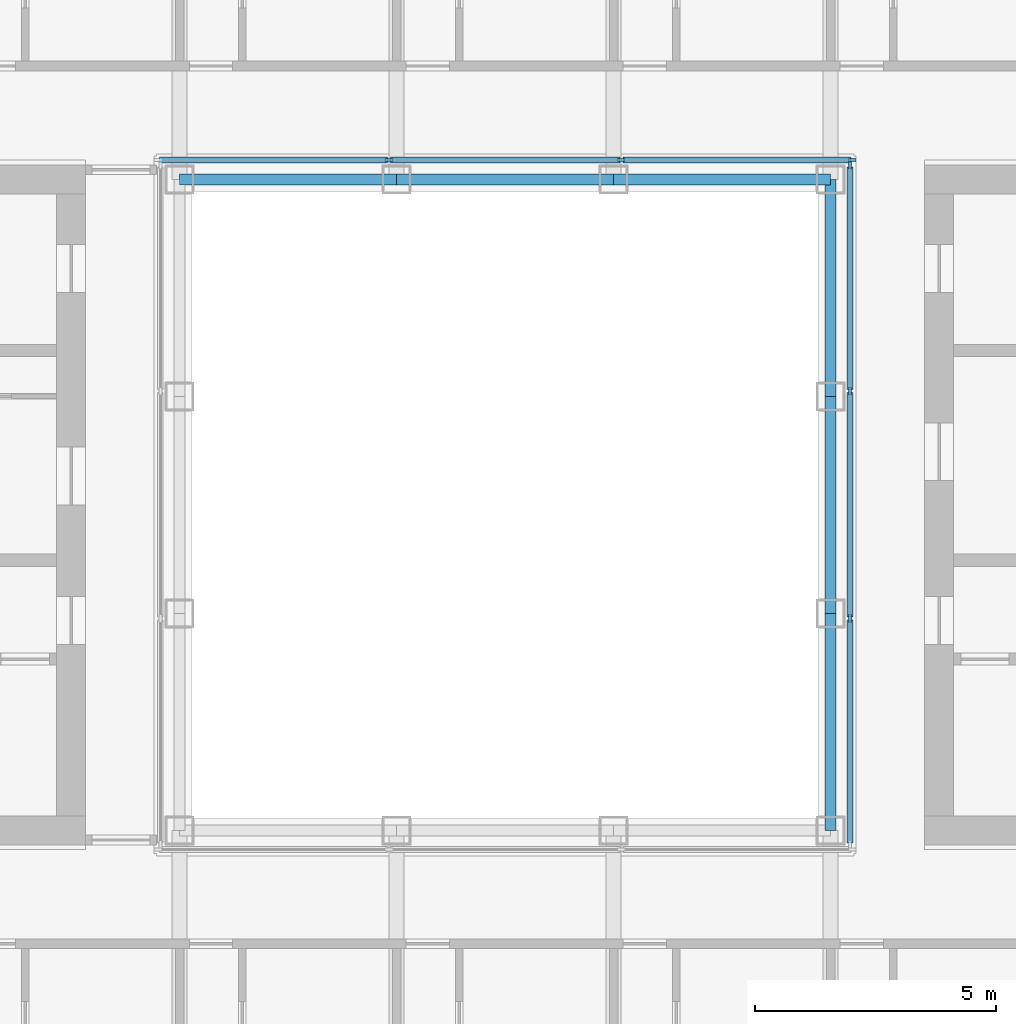
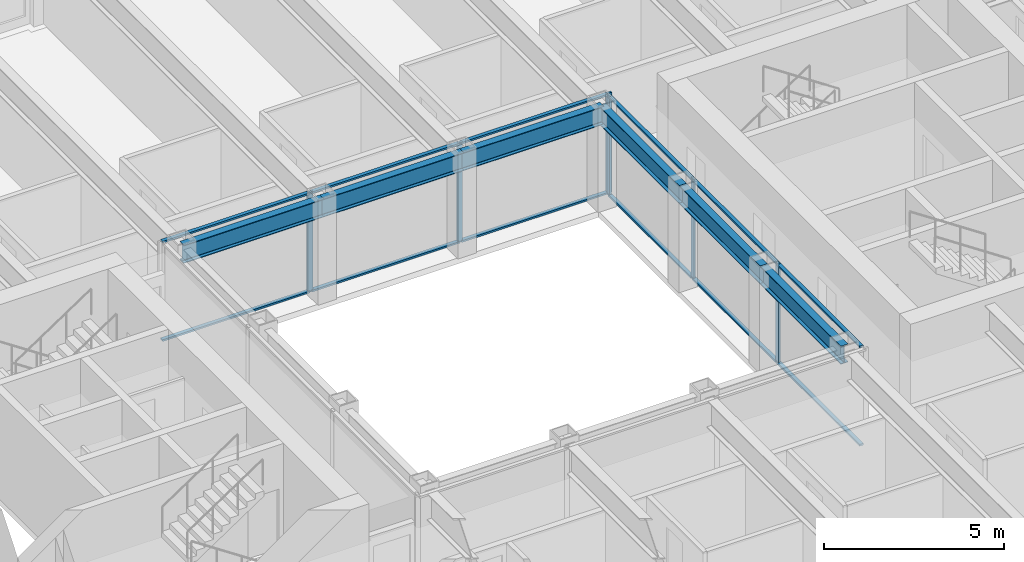
# One storey, part 5 of 18: 18 members, 6 beams, 2 elements without a shape of their own.
"""IFC4 building model written with IfcOpenShell, lengths in metres."""

from ifc_helpers import new_model, si_unit, direction, frame, origin, origin_2d, place, context, subcontext, project, spatial, rectangle, i_section, extrude, material, material_profile, profile_set, type_object, element, aggregate, save


model = new_model("IFC4")

# Units and contexts
model_context = context("Model", 3, precision=1e-05, world=origin(), true_north=direction((0.0, 1.0)))
body_context = subcontext(model_context, "Body", "Model", "MODEL_VIEW")
ifc_project = project(units=[si_unit("LENGTHUNIT", "METRE"), si_unit("AREAUNIT", "SQUARE_METRE"), si_unit("VOLUMEUNIT", "CUBIC_METRE"), si_unit("PLANEANGLEUNIT", "RADIAN"), si_unit("MASSUNIT", "GRAM", prefix="KILO")], contexts=[model_context])

# Site, building, storey
site_placement = place(None, origin())
site = spatial("IfcSite", under=ifc_project, at=site_placement, CompositionType="ELEMENT")
building_placement = place(site_placement, origin())
building = spatial("IfcBuilding", under=site, at=building_placement, Name="Msasa Ring Tower", CompositionType="ELEMENT")
storey_placement = place(building_placement, frame((0.0, 0.0, 118.39990234375)))
storey = spatial("IfcBuildingStorey", under=building, at=storey_placement, Name="L30", CompositionType="ELEMENT", Elevation=118.39990234375)

# Curtain wall, members
ifc_material_1 = material(Name="Aluminium curtain wall with clear glass", Category="aluminium")
curtain_wall_type = type_object("IfcCurtainWallType", Name="CW-W LIGHT WELL CURTAIN WALL", PredefinedType="NOTDEFINED", material=ifc_material_1)
curtain_wall_1_placement = place(storey_placement, origin())
curtain_wall_1 = element("IfcCurtainWall", 1, at=curtain_wall_1_placement, inside=storey, type_object=curtain_wall_type, Name="Light well curtain wall N L30", PredefinedType="NOTDEFINED")
ifc_material_2 = material(Name="Aluminium mullion", Category="aluminium")
ifc_material_profile_1 = material_profile(ifc_material_2, rectangle(XDim=0.06005859375, YDim=0.159912109375, at=origin_2d()), Name="AL 60x160")
ifc_profile_set_1 = profile_set([ifc_material_profile_1], Name="Aluminium mullion")
member_type_1 = type_object("IfcMemberType", Name="CW-W MULLION 60x160", PredefinedType="MULLION", material=ifc_profile_set_1)
member_1_placement = place(storey_placement, frame((-2.409912109375, 7.14990234375, 0.0), z_axis=(0.0, 0.0, 1.0), x_axis=(0.0, 1.0, 0.0)))
member_1 = element("IfcMember", 2, at=member_1_placement, type_object=member_type_1, Name="CW-W mullion 2", PredefinedType="MULLION", context=body_context, shape_type="SweptSolid", body=[
    extrude(rectangle(XDim=0.06005859375, YDim=0.159912109375, at=origin_2d()), origin(), (0.0, 0.0, 1.0), 3.400146484375),
])
member_2_placement = place(storey_placement, frame((2.409912109375, 7.14990234375, 0.0), z_axis=(0.0, 0.0, 1.0), x_axis=(0.0, 1.0, 0.0)))
member_2 = element("IfcMember", 3, at=member_2_placement, type_object=member_type_1, Name="CW-W mullion 3", PredefinedType="MULLION", context=body_context, shape_type="SweptSolid", body=[
    extrude(rectangle(XDim=0.06005859375, YDim=0.159912109375, at=origin_2d()), origin(), (0.0, 0.0, 1.0), 3.400146484375),
])
member_3_placement = place(storey_placement, frame((7.199951171875, 7.14990234375, 0.0), z_axis=(0.0, 0.0, 1.0), x_axis=(0.0, 1.0, 0.0)))
member_3 = element("IfcMember", 4, at=member_3_placement, type_object=member_type_1, Name="CW-W mullion 4", PredefinedType="MULLION", context=body_context, shape_type="SweptSolid", body=[
    extrude(rectangle(XDim=0.06005859375, YDim=0.159912109375, at=origin_2d()), origin(), (0.0, 0.0, 1.0), 3.400146484375),
])

curtain_wall_2_placement = place(storey_placement, origin())
curtain_wall_2 = element("IfcCurtainWall", 5, at=curtain_wall_2_placement, inside=storey, type_object=curtain_wall_type, Name="Light well curtain wall E L30", PredefinedType="NOTDEFINED")
member_4_placement = place(storey_placement, frame((7.14990234375, -2.356689453125, 0.0), z_axis=(0.0, 0.0, 1.0), x_axis=(-1.0, 0.0, 0.0)))
member_4 = element("IfcMember", 6, at=member_4_placement, type_object=member_type_1, Name="CW-W mullion 2", PredefinedType="MULLION", context=body_context, shape_type="SweptSolid", body=[
    extrude(rectangle(XDim=0.06005859375, YDim=0.159912109375, at=origin_2d()), origin(), (0.0, 0.0, 1.0), 3.400146484375),
])
member_5_placement = place(storey_placement, frame((7.14990234375, 2.356689453125, 0.0), z_axis=(0.0, 0.0, 1.0), x_axis=(-1.0, 0.0, 0.0)))
member_5 = element("IfcMember", 7, at=member_5_placement, type_object=member_type_1, Name="CW-W mullion 3", PredefinedType="MULLION", context=body_context, shape_type="SweptSolid", body=[
    extrude(rectangle(XDim=0.06005859375, YDim=0.159912109375, at=origin_2d()), origin(), (0.0, 0.0, 1.0), 3.400146484375),
])
member_6_placement = place(storey_placement, frame((7.14990234375, 7.0400390625, 0.0), z_axis=(0.0, 0.0, 1.0), x_axis=(-1.0, 0.0, 0.0)))
member_6 = element("IfcMember", 8, at=member_6_placement, type_object=member_type_1, Name="CW-W mullion 4", PredefinedType="MULLION", context=body_context, shape_type="SweptSolid", body=[
    extrude(rectangle(XDim=0.06005859375, YDim=0.159912109375, at=origin_2d()), origin(), (0.0, 0.0, 1.0), 3.400146484375),
])

# Member
ifc_material_3 = material(Name="Aluminium transom", Category="aluminium")
ifc_material_profile_2 = material_profile(ifc_material_3, rectangle(XDim=0.1201171875, YDim=0.06005859375, at=origin_2d()), Name="AL 60x120")
ifc_profile_set_2 = profile_set([ifc_material_profile_2], Name="Aluminium transom")
member_type_2 = type_object("IfcMemberType", Name="CW-W TRANSOM 60x120", PredefinedType="USERDEFINED", material=ifc_profile_set_2)
member_7_placement = place(storey_placement, frame((-7.169921875, 7.14990234375, 0.030029296875), z_axis=(1.0, 0.0, 0.0), x_axis=(0.0, 1.0, 0.0)))
member_7 = element("IfcMember", 9, at=member_7_placement, type_object=member_type_2, Name="CW-W transom 1.1", ObjectType="TRANSOM", PredefinedType="USERDEFINED", context=body_context, shape_type="SweptSolid", body=[
    extrude(rectangle(XDim=0.1201171875, YDim=0.06005859375, at=origin_2d()), origin(), (0.0, 0.0, 1.0), 4.72998046875),
])

member_8_placement = place(storey_placement, frame((-7.169921875, 7.14990234375, 3.3701171875), z_axis=(1.0, 0.0, 0.0), x_axis=(0.0, 1.0, 0.0)))
member_8 = element("IfcMember", 10, at=member_8_placement, type_object=member_type_2, Name="CW-W transom 1.2", ObjectType="TRANSOM", PredefinedType="USERDEFINED", context=body_context, shape_type="SweptSolid", body=[
    extrude(rectangle(XDim=0.1201171875, YDim=0.06005859375, at=origin_2d()), origin(), (0.0, 0.0, 1.0), 4.72998046875),
])

member_9_placement = place(storey_placement, frame((-2.3798828125, 7.14990234375, 0.030029296875), z_axis=(1.0, 0.0, 0.0), x_axis=(0.0, 1.0, 0.0)))
member_9 = element("IfcMember", 11, at=member_9_placement, type_object=member_type_2, Name="CW-W transom 2.1", ObjectType="TRANSOM", PredefinedType="USERDEFINED", context=body_context, shape_type="SweptSolid", body=[
    extrude(rectangle(XDim=0.1201171875, YDim=0.06005859375, at=origin_2d()), origin(), (0.0, 0.0, 1.0), 4.759765625),
])

member_10_placement = place(storey_placement, frame((-2.3798828125, 7.14990234375, 3.3701171875), z_axis=(1.0, 0.0, 0.0), x_axis=(0.0, 1.0, 0.0)))
member_10 = element("IfcMember", 12, at=member_10_placement, type_object=member_type_2, Name="CW-W transom 2.2", ObjectType="TRANSOM", PredefinedType="USERDEFINED", context=body_context, shape_type="SweptSolid", body=[
    extrude(rectangle(XDim=0.1201171875, YDim=0.06005859375, at=origin_2d()), origin(), (0.0, 0.0, 1.0), 4.759765625),
])

member_11_placement = place(storey_placement, frame((2.43994140625, 7.14990234375, 0.030029296875), z_axis=(1.0, 0.0, 0.0), x_axis=(0.0, 1.0, 0.0)))
member_11 = element("IfcMember", 13, at=member_11_placement, type_object=member_type_2, Name="CW-W transom 3.1", ObjectType="TRANSOM", PredefinedType="USERDEFINED", context=body_context, shape_type="SweptSolid", body=[
    extrude(rectangle(XDim=0.1201171875, YDim=0.06005859375, at=origin_2d()), origin(), (0.0, 0.0, 1.0), 4.72998046875),
])

member_12_placement = place(storey_placement, frame((2.43994140625, 7.14990234375, 3.3701171875), z_axis=(1.0, 0.0, 0.0), x_axis=(0.0, 1.0, 0.0)))
member_12 = element("IfcMember", 14, at=member_12_placement, type_object=member_type_2, Name="CW-W transom 3.2", ObjectType="TRANSOM", PredefinedType="USERDEFINED", context=body_context, shape_type="SweptSolid", body=[
    extrude(rectangle(XDim=0.1201171875, YDim=0.06005859375, at=origin_2d()), origin(), (0.0, 0.0, 1.0), 4.72998046875),
])

aggregate(curtain_wall_1, [member_1, member_2, member_3, member_7, member_8, member_9, member_10, member_11, member_12])

member_13_placement = place(storey_placement, frame((7.14990234375, -7.010009765625, 0.030029296875), z_axis=(0.0, 1.0, 0.0), x_axis=(-1.0, 0.0, 0.0)))
member_13 = element("IfcMember", 15, at=member_13_placement, type_object=member_type_2, Name="CW-W transom 1.1", ObjectType="TRANSOM", PredefinedType="USERDEFINED", context=body_context, shape_type="SweptSolid", body=[
    extrude(rectangle(XDim=0.1201171875, YDim=0.06005859375, at=origin_2d()), origin(), (0.0, 0.0, 1.0), 4.623291015625),
])

member_14_placement = place(storey_placement, frame((7.14990234375, -7.010009765625, 3.3701171875), z_axis=(0.0, 1.0, 0.0), x_axis=(-1.0, 0.0, 0.0)))
member_14 = element("IfcMember", 16, at=member_14_placement, type_object=member_type_2, Name="CW-W transom 1.2", ObjectType="TRANSOM", PredefinedType="USERDEFINED", context=body_context, shape_type="SweptSolid", body=[
    extrude(rectangle(XDim=0.1201171875, YDim=0.06005859375, at=origin_2d()), origin(), (0.0, 0.0, 1.0), 4.623291015625),
])

member_15_placement = place(storey_placement, frame((7.14990234375, -2.32666015625, 0.030029296875), z_axis=(0.0, 1.0, 0.0), x_axis=(-1.0, 0.0, 0.0)))
member_15 = element("IfcMember", 17, at=member_15_placement, type_object=member_type_2, Name="CW-W transom 2.1", ObjectType="TRANSOM", PredefinedType="USERDEFINED", context=body_context, shape_type="SweptSolid", body=[
    extrude(rectangle(XDim=0.1201171875, YDim=0.06005859375, at=origin_2d()), origin(), (0.0, 0.0, 1.0), 4.6533203125),
])

member_16_placement = place(storey_placement, frame((7.14990234375, -2.32666015625, 3.3701171875), z_axis=(0.0, 1.0, 0.0), x_axis=(-1.0, 0.0, 0.0)))
member_16 = element("IfcMember", 18, at=member_16_placement, type_object=member_type_2, Name="CW-W transom 2.2", ObjectType="TRANSOM", PredefinedType="USERDEFINED", context=body_context, shape_type="SweptSolid", body=[
    extrude(rectangle(XDim=0.1201171875, YDim=0.06005859375, at=origin_2d()), origin(), (0.0, 0.0, 1.0), 4.6533203125),
])

member_17_placement = place(storey_placement, frame((7.14990234375, 2.38671875, 0.030029296875), z_axis=(0.0, 1.0, 0.0), x_axis=(-1.0, 0.0, 0.0)))
member_17 = element("IfcMember", 19, at=member_17_placement, type_object=member_type_2, Name="CW-W transom 3.1", ObjectType="TRANSOM", PredefinedType="USERDEFINED", context=body_context, shape_type="SweptSolid", body=[
    extrude(rectangle(XDim=0.1201171875, YDim=0.06005859375, at=origin_2d()), origin(), (0.0, 0.0, 1.0), 4.623291015625),
])

member_18_placement = place(storey_placement, frame((7.14990234375, 2.38671875, 3.3701171875), z_axis=(0.0, 1.0, 0.0), x_axis=(-1.0, 0.0, 0.0)))
member_18 = element("IfcMember", 20, at=member_18_placement, type_object=member_type_2, Name="CW-W transom 3.2", ObjectType="TRANSOM", PredefinedType="USERDEFINED", context=body_context, shape_type="SweptSolid", body=[
    extrude(rectangle(XDim=0.1201171875, YDim=0.06005859375, at=origin_2d()), origin(), (0.0, 0.0, 1.0), 4.623291015625),
])

aggregate(curtain_wall_2, [member_4, member_5, member_6, member_13, member_14, member_15, member_16, member_17, member_18])

# Beams
ifc_material_4 = material(Name="Steel S355", Category="steel")
ifc_material_profile_3 = material_profile(ifc_material_4, i_section(OverallWidth=0.230224609375, OverallDepth=0.6171875, WebThickness=0.01318359375, FlangeThickness=0.022216796875, FilletRadius=0.0126953125, at=origin_2d()), Name="UB 610x229x140")
ifc_profile_set_3 = profile_set([ifc_material_profile_3], Name="Steel S355")
beam_type = type_object("IfcBeamType", Name="RB1 UB 610x229x140", PredefinedType="BEAM", material=ifc_profile_set_3)
for number, where, z_axis, x_axis, name in (
    (21, (6.75, -6.75, 3.091552734375), (0.0, 1.0, 0.0), (-1.0, 0.0, 0.0), "Inner ring beam IR+6.75-6.75 under L31"),
    (22, (6.75, -2.25, 3.091552734375), (0.0, 1.0, 0.0), (-1.0, 0.0, 0.0), "Inner ring beam IR+6.75-2.25 under L31"),
    (23, (6.75, 2.25, 3.091552734375), (0.0, 1.0, 0.0), (-1.0, 0.0, 0.0), "Inner ring beam IR+6.75+2.25 under L31"),
    (24, (6.75, 6.75, 3.091552734375), (-1.0, 0.0, 0.0), (0.0, -1.0, 0.0), "Inner ring beam IR+6.75+6.75 under L31"),
    (25, (2.25, 6.75, 3.091552734375), (-1.0, 0.0, 0.0), (0.0, -1.0, 0.0), "Inner ring beam IR+2.25+6.75 under L31"),
    (26, (-2.25, 6.75, 3.091552734375), (-1.0, 0.0, 0.0), (0.0, -1.0, 0.0), "Inner ring beam IR-2.25+6.75 under L31"),
):
    element("IfcBeam", number, at=place(storey_placement, frame(where, z_axis=z_axis, x_axis=x_axis)), inside=storey, type_object=beam_type, Name=name, PredefinedType="BEAM", context=body_context, shape_type="SweptSolid", body=[
        extrude(i_section(OverallWidth=0.230224609375, OverallDepth=0.6171875, WebThickness=0.01318359375, FlangeThickness=0.022216796875, FilletRadius=0.0126953125, at=origin_2d()), origin(), (0.0, 0.0, 1.0), 4.5),
    ])

save(model, "model.ifc")
